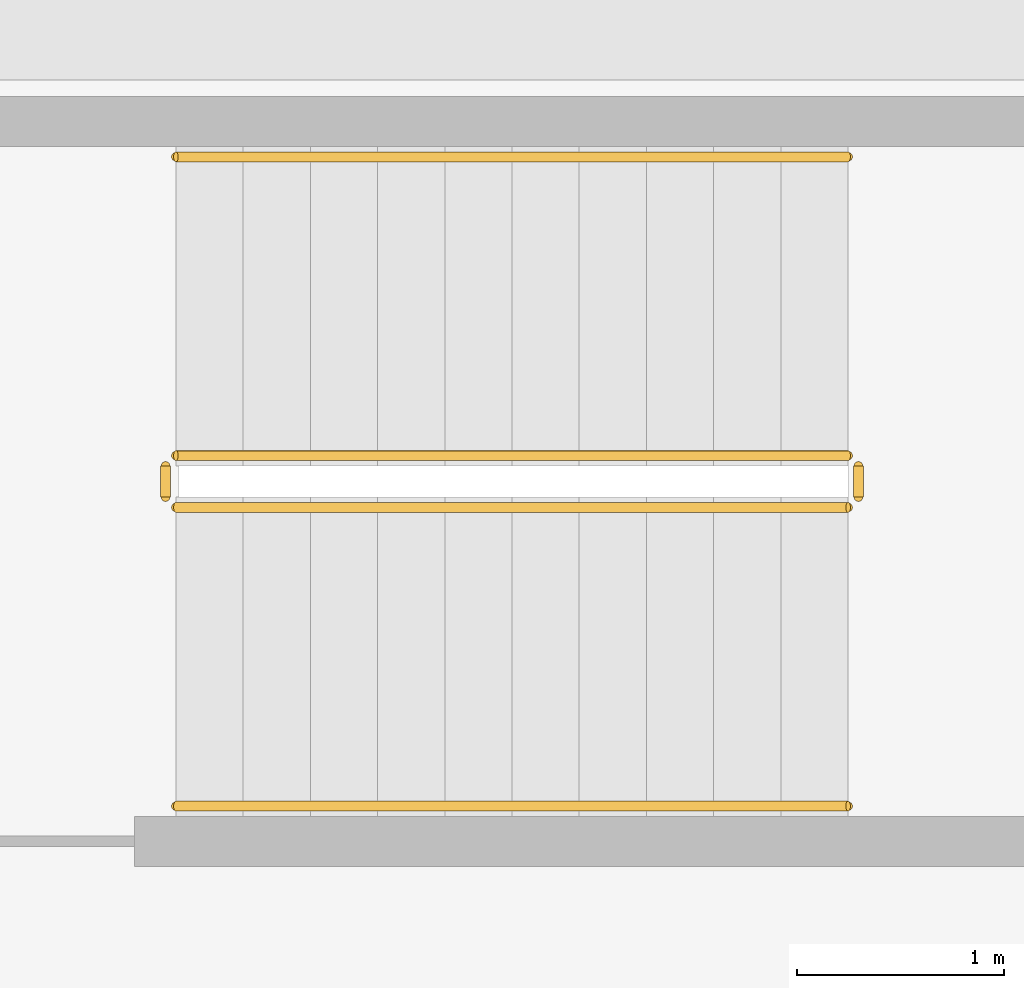
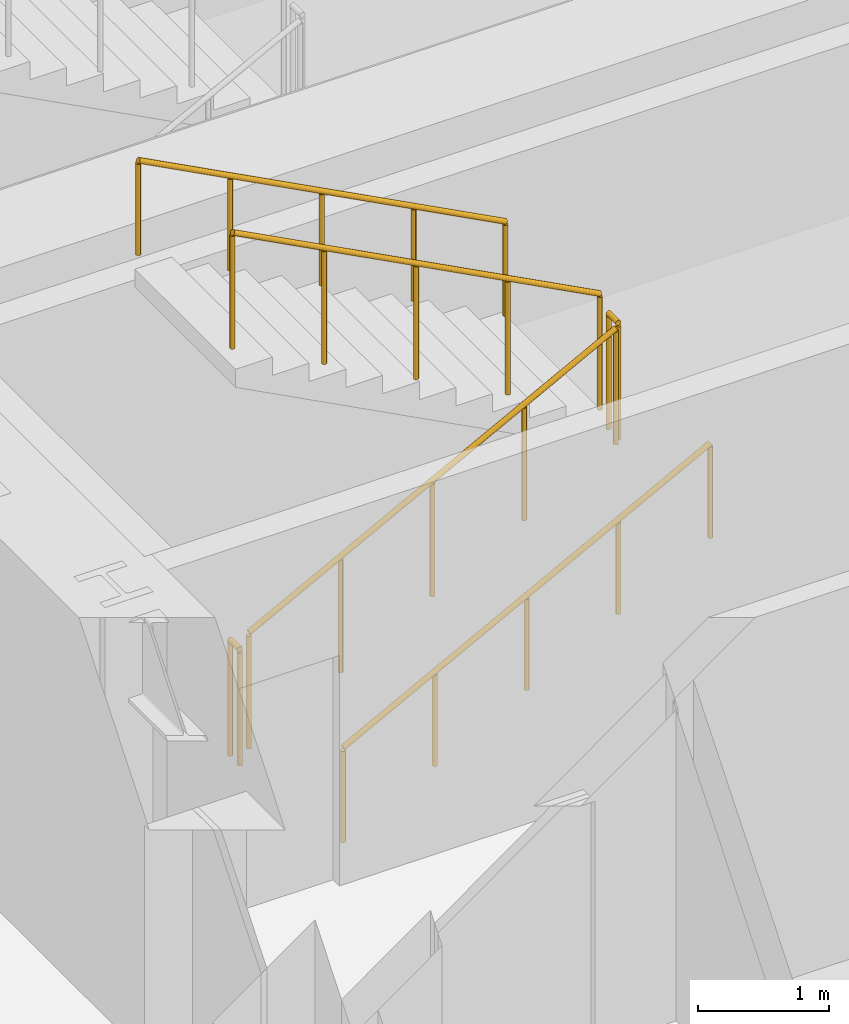
# One storey, part 11 of 14: 6 railings.
"""IFC4 building model written with IfcOpenShell, lengths in metres."""

from ifc_helpers import new_model, si_unit, direction, frame, origin, origin_2d, place, context, subcontext, project, spatial, circle, extrude, material, type_object, element, save


model = new_model("IFC4")

# Units and contexts
model_context = context("Model", 3, precision=1e-05, world=origin(), true_north=direction((0.0, 1.0)))
body_context = subcontext(model_context, "Body", "Model", "MODEL_VIEW")
ifc_project = project(units=[si_unit("LENGTHUNIT", "METRE"), si_unit("AREAUNIT", "SQUARE_METRE"), si_unit("VOLUMEUNIT", "CUBIC_METRE"), si_unit("PLANEANGLEUNIT", "RADIAN"), si_unit("MASSUNIT", "GRAM", prefix="KILO")], contexts=[model_context])

# Site, building, storey
site_placement = place(None, origin())
site = spatial("IfcSite", under=ifc_project, at=site_placement, CompositionType="ELEMENT")
building_placement = place(site_placement, origin())
building = spatial("IfcBuilding", under=site, at=building_placement, Name="Kolvaren Arena Tower", CompositionType="ELEMENT")
storey_placement = place(building_placement, frame((0.0, 0.0, 53.25)))
storey = spatial("IfcBuildingStorey", under=building, at=storey_placement, Name="L10", CompositionType="ELEMENT", Elevation=53.25)

# Railings
ifc_material_1 = material(Name="Painted galvanized steel", Category="steel")
railing_type_1 = type_object("IfcRailingType", Name="GUARD-ST-110", PredefinedType="GUARDRAIL", material=ifc_material_1)
railing_1_placement = place(storey_placement, frame((52.719970703125, 31.639892578125, 0.17041015625)))
element("IfcRailing", 1, at=railing_1_placement, inside=storey, type_object=railing_type_1, Name="L10 ST-E1 stair guard 1", PredefinedType="GUARDRAIL", context=body_context, shape_type="SweptSolid", body=[
    extrude(circle(Radius=0.02392578125, at=origin_2d()), frame((0.0, 0.0, 1.076171875), z_axis=(0.884993431791, 0.0, 0.465603506952), x_axis=(0.0, 1.0, 0.0)), (0.0, 0.0, 1.0), 3.6611328125),
    extrude(circle(Radius=0.02099609375, at=origin_2d()), origin(), (0.0, 0.0, 1.0), 1.052001953125),
    extrude(circle(Radius=0.02099609375, at=origin_2d()), frame((0.81005859375, 0.0, 0.42626953125)), (0.0, 0.0, 1.0), 1.052001953125),
    extrude(circle(Radius=0.02099609375, at=origin_2d()), frame((1.6201171875, 0.0, 0.852294921875)), (0.0, 0.0, 1.0), 1.052001953125),
    extrude(circle(Radius=0.02099609375, at=origin_2d()), frame((2.429931640625, 0.0, 1.2783203125)), (0.0, 0.0, 1.0), 1.052001953125),
    extrude(circle(Radius=0.02099609375, at=origin_2d()), frame((3.239990234375, 0.0, 1.70458984375)), (0.0, 0.0, 1.0), 1.052001953125),
])
railing_2_placement = place(storey_placement, frame((56.010009765625, 31.68994140625, 1.875)))
element("IfcRailing", 2, at=railing_2_placement, inside=storey, type_object=railing_type_1, Name="L10 ST-E1 stair guard 2", PredefinedType="GUARDRAIL", context=body_context, shape_type="SweptSolid", body=[
    extrude(circle(Radius=0.02392578125, at=origin_2d()), frame((0.0, 0.0, 1.076171875), z_axis=(0.0, 1.0, 0.0), x_axis=(-1.0, 0.0, 0.0)), (0.0, 0.0, 1.0), 0.150146484375),
    extrude(circle(Radius=0.02099609375, at=origin_2d()), origin(), (0.0, 0.0, 1.0), 1.052001953125),
    extrude(circle(Radius=0.02099609375, at=origin_2d()), frame((0.0, 0.150146484375, 0.0)), (0.0, 0.0, 1.0), 1.052001953125),
])
railing_3_placement = place(storey_placement, frame((55.9599609375, 31.889892578125, 2.04541015625)))
element("IfcRailing", 3, at=railing_3_placement, inside=storey, type_object=railing_type_1, Name="L10 ST-E1 stair guard 3", PredefinedType="GUARDRAIL", context=body_context, shape_type="SweptSolid", body=[
    extrude(circle(Radius=0.02392578125, at=origin_2d()), frame((0.0, 0.0, 1.076171875), z_axis=(-0.884993431791, 0.0, 0.465603506952), x_axis=(0.0, -1.0, 0.0)), (0.0, 0.0, 1.0), 3.6611328125),
    extrude(circle(Radius=0.02099609375, at=origin_2d()), origin(), (0.0, 0.0, 1.0), 1.052001953125),
    extrude(circle(Radius=0.02099609375, at=origin_2d()), frame((-0.81005859375, 0.0, 0.42626953125)), (0.0, 0.0, 1.0), 1.052001953125),
    extrude(circle(Radius=0.02099609375, at=origin_2d()), frame((-1.6201171875, 0.0, 0.852294921875)), (0.0, 0.0, 1.0), 1.052001953125),
    extrude(circle(Radius=0.02099609375, at=origin_2d()), frame((-2.429931640625, 0.0, 1.2783203125)), (0.0, 0.0, 1.0), 1.052001953125),
    extrude(circle(Radius=0.02099609375, at=origin_2d()), frame((-3.239990234375, 0.0, 1.70458984375)), (0.0, 0.0, 1.0), 1.052001953125),
])
railing_4_placement = place(storey_placement, frame((52.669921875, 31.68994140625, 0.0)))
element("IfcRailing", 4, at=railing_4_placement, inside=storey, type_object=railing_type_1, Name="L10 ST-E1 stair guard 4", PredefinedType="GUARDRAIL", context=body_context, shape_type="SweptSolid", body=[
    extrude(circle(Radius=0.02392578125, at=origin_2d()), frame((0.0, 0.0, 1.076171875), z_axis=(0.0, 1.0, 0.0), x_axis=(-1.0, 0.0, 0.0)), (0.0, 0.0, 1.0), 0.150146484375),
    extrude(circle(Radius=0.02099609375, at=origin_2d()), origin(), (0.0, 0.0, 1.0), 1.052001953125),
    extrude(circle(Radius=0.02099609375, at=origin_2d()), frame((0.0, 0.150146484375, 0.0)), (0.0, 0.0, 1.0), 1.052001953125),
])
ifc_material_2 = material(Name="Brushed stainless steel handrail", Category="steel")
railing_type_2 = type_object("IfcRailingType", Name="HRAIL-900", PredefinedType="HANDRAIL", material=ifc_material_2)
railing_5_placement = place(storey_placement, frame((52.719970703125, 30.199951171875, 0.17041015625)))
element("IfcRailing", 5, at=railing_5_placement, inside=storey, type_object=railing_type_2, Name="L10 ST-E1 stair handrail 1", PredefinedType="HANDRAIL", context=body_context, shape_type="SweptSolid", body=[
    extrude(circle(Radius=0.02392578125, at=origin_2d()), frame((0.0, 0.0, 0.8759765625), z_axis=(0.884993431791, 0.0, 0.465603506952), x_axis=(0.0, 1.0, 0.0)), (0.0, 0.0, 1.0), 3.6611328125),
    extrude(circle(Radius=0.02099609375, at=origin_2d()), origin(), (0.0, 0.0, 1.0), 0.851806640625),
    extrude(circle(Radius=0.02099609375, at=origin_2d()), frame((0.81005859375, 0.0, 0.42626953125)), (0.0, 0.0, 1.0), 0.851806640625),
    extrude(circle(Radius=0.02099609375, at=origin_2d()), frame((1.6201171875, 0.0, 0.852294921875)), (0.0, 0.0, 1.0), 0.851806640625),
    extrude(circle(Radius=0.02099609375, at=origin_2d()), frame((2.429931640625, 0.0, 1.2783203125)), (0.0, 0.0, 1.0), 0.851806640625),
    extrude(circle(Radius=0.02099609375, at=origin_2d()), frame((3.239990234375, 0.0, 1.70458984375)), (0.0, 0.0, 1.0), 0.851806640625),
])
railing_6_placement = place(storey_placement, frame((55.9599609375, 33.330078125, 2.04541015625)))
element("IfcRailing", 6, at=railing_6_placement, inside=storey, type_object=railing_type_2, Name="L10 ST-E1 stair handrail 2", PredefinedType="HANDRAIL", context=body_context, shape_type="SweptSolid", body=[
    extrude(circle(Radius=0.02392578125, at=origin_2d()), frame((0.0, 0.0, 0.8759765625), z_axis=(-0.884993431791, 0.0, 0.465603506952), x_axis=(0.0, -1.0, 0.0)), (0.0, 0.0, 1.0), 3.6611328125),
    extrude(circle(Radius=0.02099609375, at=origin_2d()), origin(), (0.0, 0.0, 1.0), 0.851806640625),
    extrude(circle(Radius=0.02099609375, at=origin_2d()), frame((-0.81005859375, 0.0, 0.42626953125)), (0.0, 0.0, 1.0), 0.851806640625),
    extrude(circle(Radius=0.02099609375, at=origin_2d()), frame((-1.6201171875, 0.0, 0.852294921875)), (0.0, 0.0, 1.0), 0.851806640625),
    extrude(circle(Radius=0.02099609375, at=origin_2d()), frame((-2.429931640625, 0.0, 1.2783203125)), (0.0, 0.0, 1.0), 0.851806640625),
    extrude(circle(Radius=0.02099609375, at=origin_2d()), frame((-3.239990234375, 0.0, 1.70458984375)), (0.0, 0.0, 1.0), 0.851806640625),
])

save(model, "model.ifc")
